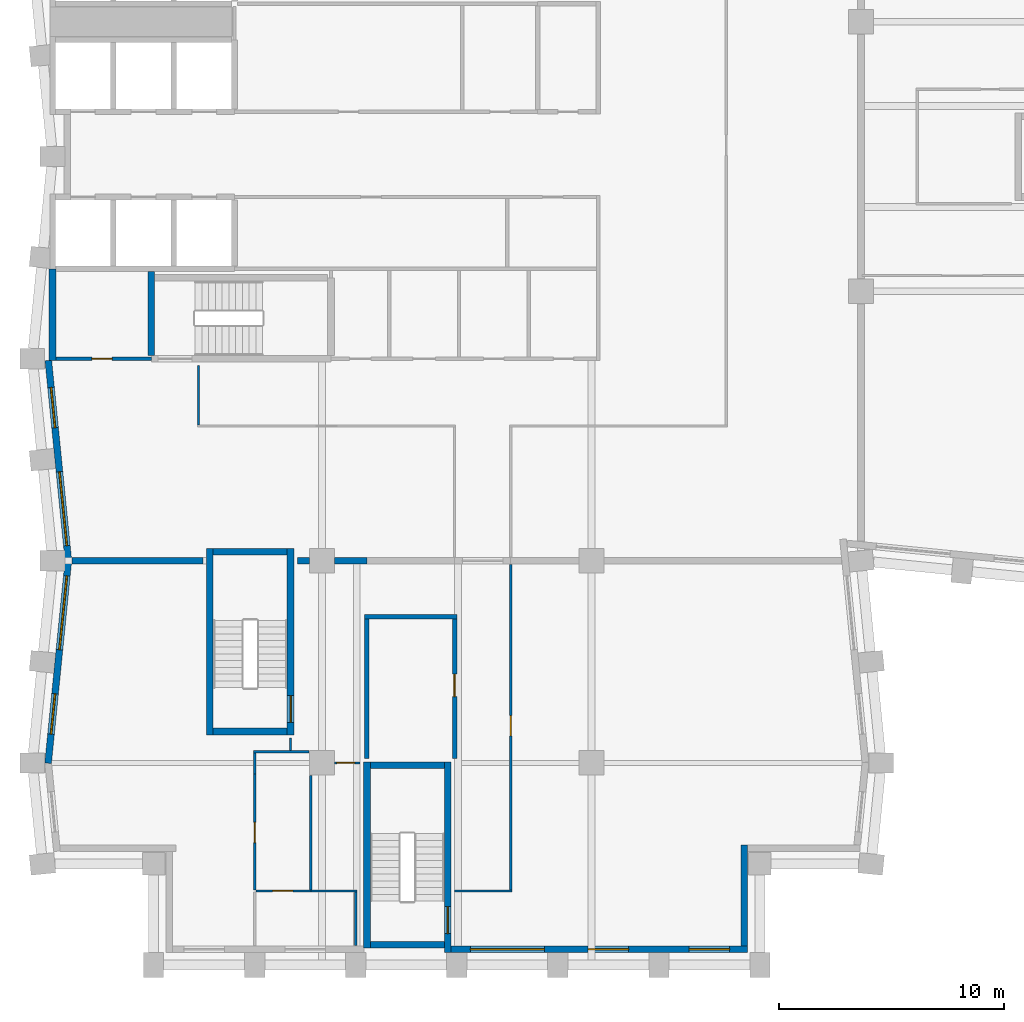
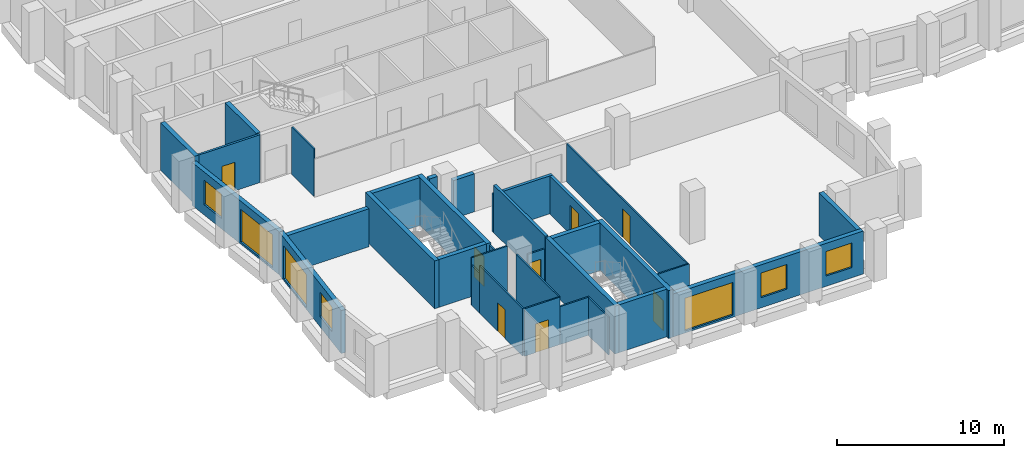
# One storey, part 3 of 10: 33 walls, 8 doors, 7 windows, 15 openings.
"""IFC4 building model written with IfcOpenShell, lengths in metres."""

import ifcopenshell
import ifcopenshell.guid

model = None  # the IFC model being written
_history = None  # IfcOwnerHistory: only IFC2X3 demands one
_inside = {}  # id of a spatial element -> (the spatial element, [elements in it])
_under = {}  # id of a project, library or spatial element -> (it, [spatial elements below it])
_declared = {}  # id of a project -> (the project, [libraries it declares])
_typed = {}  # id of a type object -> (the type object, [elements of that type])
_made_of = {}  # id of a material, layer set ... -> (it, [elements and type objects made of it])


def new_model(schema):
    """Start an empty IFC model of exactly this schema.

    Asked for "IFC4X3", IfcOpenShell would pick the latest addendum, in which some entities
    have other attributes; the version numbers below select the first issue.
    IFC2X3 requires an IfcOwnerHistory on every rooted entity: one is made here for all.
    """
    global model, _history
    if schema == "IFC4X3":
        model = ifcopenshell.file(schema_version=(4, 3, 0, 0))
    else:
        model = ifcopenshell.file(schema=schema)
    _inside.clear()
    _under.clear()
    _declared.clear()
    _typed.clear()
    _made_of.clear()
    _history = None
    if model.schema == "IFC2X3":
        org = make("IfcOrganization", Name="unknown")
        user = make(
            "IfcPersonAndOrganization",
            ThePerson=make("IfcPerson", FamilyName="unknown"),
            TheOrganization=org,
        )
        app = make(
            "IfcApplication",
            ApplicationDeveloper=org,
            Version="unknown",
            ApplicationFullName="unknown",
            ApplicationIdentifier="unknown",
        )
        _history = make(
            "IfcOwnerHistory",
            OwningUser=user,
            OwningApplication=app,
            ChangeAction="ADDED",
            CreationDate=0,
        )
    return model


def make(cls, **values):
    """One entity of the class cls with the attributes given. An attribute that is None is left unset."""
    return model.create_entity(
        cls, **{name: value for name, value in values.items() if value is not None}
    )


def rooted(cls, **values):
    """An entity with a GlobalId (a new one), such as an element, a storey or a relation."""
    return make(cls, GlobalId=ifcopenshell.guid.new(), OwnerHistory=_history, **values)


def si_unit(unit_type, name, prefix=None):
    """IfcSIUnit, for example si_unit("LENGTHUNIT", "METRE", prefix="MILLI")."""
    return make("IfcSIUnit", UnitType=unit_type, Prefix=prefix, Name=name)


def assignment(units):
    """IfcUnitAssignment: the units of a project."""
    return None if units is None else make("IfcUnitAssignment", Units=units)


def point(xyz):
    """IfcCartesianPoint."""
    return None if xyz is None else make("IfcCartesianPoint", Coordinates=xyz)


def direction(xyz):
    """IfcDirection."""
    return None if xyz is None else make("IfcDirection", DirectionRatios=xyz)


def frame(location, z_axis=None, x_axis=None):
    """IfcAxis2Placement3D, a coordinate frame: its origin and axes. An axis left out is left unset."""
    return make(
        "IfcAxis2Placement3D",
        Location=point(location),
        Axis=direction(z_axis),
        RefDirection=direction(x_axis),
    )


def frame_2d(location, x_axis=None):
    """IfcAxis2Placement2D, a coordinate frame in the plane: its origin and x axis."""
    return make(
        "IfcAxis2Placement2D", Location=point(location), RefDirection=direction(x_axis)
    )


def origin():
    """The frame at (0, 0, 0) with its axes left unset."""
    return frame((0.0, 0.0, 0.0))


def place(relative_to, where):
    """IfcLocalPlacement: puts the frame where relative to a parent placement (None: the world)."""
    return make(
        "IfcLocalPlacement", PlacementRelTo=relative_to, RelativePlacement=where
    )


def context(
    kind, dimensions, precision=None, world=None, true_north=None, identifier=None
):
    """IfcGeometricRepresentationContext, for example the 3D "Model" context."""
    return make(
        "IfcGeometricRepresentationContext",
        ContextIdentifier=identifier,
        ContextType=kind,
        CoordinateSpaceDimension=dimensions,
        Precision=precision,
        WorldCoordinateSystem=world,
        TrueNorth=true_north,
    )


def subcontext(parent, identifier, kind, view, scale=None):
    """IfcGeometricRepresentationSubContext, for example "Body" below "Model"."""
    return make(
        "IfcGeometricRepresentationSubContext",
        ContextIdentifier=identifier,
        ContextType=kind,
        ParentContext=parent,
        TargetScale=scale,
        TargetView=view,
    )


def project(units=None, contexts=None):
    """IfcProject with its units and contexts."""
    return rooted(
        "IfcProject",
        Name="project",
        RepresentationContexts=contexts,
        UnitsInContext=assignment(units),
    )


def spatial(cls, under=None, at=None, **own):
    """A site, building, storey or space (cls), placed at a placement, below another one or the project."""
    s = rooted(cls, ObjectPlacement=at, **own)
    if under is not None:
        _under.setdefault(under.id(), (under, []))[1].append(s)
    return s


def profile(cls, at=None, kind="AREA", **sizes):
    """A parametric profile (cls). Its sizes go by their IFC names, for example OverallWidth=200.0."""
    return make(cls, ProfileType=kind, Position=at, **sizes)


def rectangle(**sizes):
    """IfcRectangleProfileDef."""
    return profile("IfcRectangleProfileDef", **sizes)


def extrude(swept, where, along, depth):
    """IfcExtrudedAreaSolid: the profile swept, set in the frame where, extruded along a direction by depth."""
    return make(
        "IfcExtrudedAreaSolid",
        SweptArea=swept,
        Position=where,
        ExtrudedDirection=direction(along),
        Depth=depth,
    )


def shape(context_of_items, identifier, shape_type, items):
    """IfcShapeRepresentation: the items that make up one representation, for example the "Body"."""
    return make(
        "IfcShapeRepresentation",
        ContextOfItems=context_of_items,
        RepresentationIdentifier=identifier,
        RepresentationType=shape_type,
        Items=items,
    )


def material(Name=None, Category=None):
    """IfcMaterial."""
    return make("IfcMaterial", Name=Name, Category=Category)


def layer(
    of_material, thickness, ventilated=None, Name=None, Category=None, Priority=None
):
    """IfcMaterialLayer: one layer of a wall or slab, of a material (None: an air gap)."""
    return make(
        "IfcMaterialLayer",
        Material=of_material,
        LayerThickness=thickness,
        IsVentilated=ventilated,
        Name=Name,
        Category=Category,
        Priority=Priority,
    )


def layer_set(layers, Name=None):
    """IfcMaterialLayerSet."""
    return make("IfcMaterialLayerSet", MaterialLayers=layers, LayerSetName=Name)


def made_of(thing, what):
    """Note that an element or type object is made of a material, layer set ...; save() writes the relation."""
    if what is not None:
        _made_of.setdefault(what.id(), (what, []))[1].append(thing)
    return thing


def type_object(cls, material=None, **own):
    """A type object (cls), such as IfcWallType, which elements share."""
    return made_of(rooted(cls, **own), material)


def element(
    cls,
    number,
    at=None,
    inside=None,
    cuts=None,
    type_object=None,
    material=None,
    context=None,
    identifier="Body",
    shape_type=None,
    held_by="IfcProductDefinitionShape",
    body=None,
    shapes=None,
    **own,
):
    """One element of the class cls, such as IfcWall. Its Tag is "e" and its number.

    at: its placement. inside: the storey or other place that contains it. cuts: it is an
    opening in that element (IfcRelVoidsElement). A single representation is given by context,
    identifier, shape_type and body (its items); several are given by shapes. held_by: the class
    of the entity that holds the representations. save() writes the other relations.
    """
    e = rooted(cls, Tag="e%d" % number, ObjectPlacement=at, **own)
    if body is not None:
        shapes = [shape(context, identifier, shape_type, body)]
    if shapes is not None:
        e.Representation = make(held_by, Representations=shapes)
    if inside is not None:
        _inside.setdefault(inside.id(), (inside, []))[1].append(e)
    if cuts is not None:
        rooted(
            "IfcRelVoidsElement", RelatingBuildingElement=cuts, RelatedOpeningElement=e
        )
    if type_object is not None:
        _typed.setdefault(type_object.id(), (type_object, []))[1].append(e)
    return made_of(e, material)


def fill(opening, filler):
    """IfcRelFillsElement: the door or window that sits in an opening."""
    return rooted(
        "IfcRelFillsElement",
        RelatingOpeningElement=opening,
        RelatedBuildingElement=filler,
    )


def aggregate(whole, parts):
    """IfcRelAggregates: a whole, such as a stair, and the parts it consists of."""
    return rooted("IfcRelAggregates", RelatingObject=whole, RelatedObjects=parts)


def save(model, path):
    """Write the relations noted so far, then the file.

    IfcRelAggregates (storeys below a building ...), IfcRelContainedInSpatialStructure (elements
    in a storey), IfcRelDefinesByType, IfcRelAssociatesMaterial and IfcRelDeclares: one each for
    every whole, place, type object, material and project.
    """
    for whole, parts in _under.values():
        aggregate(whole, parts)
    for where, things in _inside.values():
        rooted(
            "IfcRelContainedInSpatialStructure",
            RelatedElements=things,
            RelatingStructure=where,
        )
    for kind, things in _typed.values():
        rooted("IfcRelDefinesByType", RelatedObjects=things, RelatingType=kind)
    for what, things in _made_of.values():
        rooted("IfcRelAssociatesMaterial", RelatedObjects=things, RelatingMaterial=what)
    for by, libraries in _declared.values():
        rooted("IfcRelDeclares", RelatingContext=by, RelatedDefinitions=libraries)
    model.write(path)


model = new_model("IFC4")

# Units and contexts
model_context = context("Model", 3, precision=1e-05, world=origin(), true_north=direction((0.0, 1.0)))
body_context = subcontext(model_context, "Body", "Model", "MODEL_VIEW")
ifc_project = project(units=[si_unit("LENGTHUNIT", "METRE"), si_unit("AREAUNIT", "SQUARE_METRE"), si_unit("VOLUMEUNIT", "CUBIC_METRE"), si_unit("PLANEANGLEUNIT", "RADIAN"), si_unit("MASSUNIT", "GRAM", prefix="KILO")], contexts=[model_context])

# Site, building, storey
site_placement = place(None, origin())
site = spatial("IfcSite", under=ifc_project, at=site_placement, CompositionType="ELEMENT")
building_placement = place(site_placement, origin())
building = spatial("IfcBuilding", under=site, at=building_placement, Name="Brondeck Convention Tower", CompositionType="ELEMENT")
storey_placement = place(building_placement, frame((0.0, 0.0, 177.60009765625)))
storey = spatial("IfcBuildingStorey", under=building, at=storey_placement, Name="L43", CompositionType="ELEMENT", Elevation=177.60009765625)

# Walls
ifc_material_1 = material(Name="Concrete compartment wall C30/37", Category="concrete")
ifc_layer_1 = layer(ifc_material_1, 0.300048828125)
ifc_layer_set_1 = layer_set([ifc_layer_1], Name="Compartment wall 300")
wall_type_1 = type_object("IfcWallType", Name="Compartment wall 300", PredefinedType="PARTITIONING", material=ifc_layer_set_1)
wall_1_placement = place(storey_placement, frame((0.8740234375, 27.0, 0.0), z_axis=(0.0, 0.0, 1.0), x_axis=(1.0, 0.0, 0.0)))
element("IfcWall", 1, at=wall_1_placement, inside=storey, type_object=wall_type_1, Name="FLR-L43-W017", PredefinedType="PARTITIONING", context=body_context, shape_type="SweptSolid", body=[
    extrude(rectangle(XDim=5.825927734375, YDim=0.300048828125, at=frame_2d((2.9130859375, 0.0))), origin(), (0.0, 0.0, 1.0), 2.77978515625),
])
wall_2_placement = place(storey_placement, frame((10.89990234375, 27.0, 0.0), z_axis=(0.0, 0.0, 1.0), x_axis=(1.0, 0.0, 0.0)))
element("IfcWall", 2, at=wall_2_placement, inside=storey, type_object=wall_type_1, Name="FLR-L43-W018", PredefinedType="PARTITIONING", context=body_context, shape_type="SweptSolid", body=[
    extrude(rectangle(XDim=0.545166015625, YDim=0.300048828125, at=frame_2d((0.2724609375, 0.0))), origin(), (0.0, 0.0, 1.0), 3.47998046875),
])
wall_3_placement = place(storey_placement, frame((12.554931640625, 27.0, 0.0), z_axis=(0.0, 0.0, 1.0), x_axis=(1.0, 0.0, 0.0)))
element("IfcWall", 3, at=wall_3_placement, inside=storey, type_object=wall_type_1, Name="FLR-L43-W019", PredefinedType="PARTITIONING", context=body_context, shape_type="SweptSolid", body=[
    extrude(rectangle(XDim=1.445068359375, YDim=0.300048828125, at=frame_2d((0.72265625, 0.0))), origin(), (0.0, 0.0, 1.0), 2.77978515625),
])
ifc_material_2 = material(Name="Concrete C70/85", Category="concrete")
ifc_layer_2 = layer(ifc_material_2, 0.300048828125)
ifc_layer_set_2 = layer_set([ifc_layer_2], Name="Core outer wall 300 Concrete C70/85")
wall_type_2 = type_object("IfcWallType", Name="Core outer wall 300 Concrete C70/85", PredefinedType="SHEAR", material=ifc_layer_set_2)
wall_4_placement = place(storey_placement, frame((0.0, 35.925048828125, 0.0), z_axis=(0.0, 0.0, 1.0), x_axis=(0.0, 1.0, 0.0)))
element("IfcWall", 4, at=wall_4_placement, inside=storey, type_object=wall_type_2, Name="L43 core wall", PredefinedType="SHEAR", context=body_context, shape_type="SweptSolid", body=[
    extrude(rectangle(XDim=4.074951171875, YDim=0.300048828125, at=frame_2d((2.03759765625, 0.0))), origin(), (0.0, 0.0, 1.0), 3.5),
])

# Wall, opening, door
ifc_material_3 = material(Name="Fire-rated gypsum board partition")
ifc_layer_3 = layer(ifc_material_3, 0.14990234375)
ifc_layer_set_3 = layer_set([ifc_layer_3], Name="Core partition 150 EI 60")
wall_type_3 = type_object("IfcWallType", Name="Core partition 150 EI 60", PredefinedType="PARTITIONING", material=ifc_layer_set_3)
wall_5_placement = place(storey_placement, frame((0.14990234375, 36.0, 0.0), z_axis=(0.0, 0.0, 1.0), x_axis=(1.0, 0.0, 0.0)))
wall_5 = element("IfcWall", 5, at=wall_5_placement, inside=storey, type_object=wall_type_3, Name="L43 core wall", PredefinedType="PARTITIONING", context=body_context, shape_type="SweptSolid", body=[
    extrude(rectangle(XDim=4.25, YDim=0.14990234375, at=frame_2d((2.125, 0.0))), origin(), (0.0, 0.0, 1.0), 3.5),
])
opening_1_placement = place(wall_5_placement, frame((1.60009765625, 0.0, 0.0)))
opening_1 = element("IfcOpeningElement", 6, at=opening_1_placement, cuts=wall_5, Name="Opening C24-07", PredefinedType="OPENING", context=body_context, shape_type="SweptSolid", body=[
    extrude(rectangle(XDim=0.89990234375, YDim=2.10009765625, at=frame_2d((0.449951171875, 1.050048828125))), frame((0.0, 0.0849609375, 0.0), z_axis=(0.0, -1.0, 0.0), x_axis=(1.0, 0.0, 0.0)), (0.0, 0.0, 1.0), 0.169921875),
])
ifc_material_4 = material(Name="Steel fire door", Category="steel")
door_type_1 = type_object("IfcDoorType", Name="Room door 900x2100 EI 60", OperationType="NOTDEFINED", PredefinedType="DOOR", material=ifc_material_4)
door_1_placement = place(opening_1_placement, origin())
door_1 = element("IfcDoor", 7, at=door_1_placement, inside=storey, type_object=door_type_1, Name="L43 Room door FRW-1", OperationType="SINGLE_SWING_LEFT", OverallHeight=2.10009765625, OverallWidth=0.89990234375, PredefinedType="DOOR", context=body_context, shape_type="SweptSolid", body=[
    extrude(rectangle(XDim=0.89990234375, YDim=2.10009765625, at=frame_2d((0.449951171875, 1.050048828125))), frame((0.0, 0.02490234375, 0.0), z_axis=(0.0, -1.0, 0.0), x_axis=(1.0, 0.0, 0.0)), (0.0, 0.0, 1.0), 0.050048828125),
])
fill(opening_1, door_1)

# Wall, openings, windows
ifc_material_5 = material(Name="Precast concrete C50/60 bronze finish", Category="concrete")
ifc_layer_4 = layer(ifc_material_5, 0.070068359375, Name="Bronze precast facing")
ifc_material_6 = material(Name="Mineral wool")
ifc_layer_5 = layer(ifc_material_6, 0.159912109375, Name="Insulation")
ifc_material_7 = material(Name="Concrete C35/45", Category="concrete")
ifc_layer_6 = layer(ifc_material_7, 0.070068359375, Name="Backing")
ifc_layer_set_4 = layer_set([ifc_layer_4, ifc_layer_5, ifc_layer_6], Name="External infill wall, precast concrete C50/60 bronze facing")
wall_type_4 = type_object("IfcWallType", Name="External infill wall, precast concrete C50/60 bronze facing", PredefinedType="SOLIDWALL", material=ifc_layer_set_4)
wall_6_placement = place(storey_placement, frame((30.949951171875, 9.699951171875, 0.0), z_axis=(0.0, 0.0, 1.0), x_axis=(-1.0, 0.0, 0.0)))
wall_6 = element("IfcWall", 8, at=wall_6_placement, inside=storey, type_object=wall_type_4, Name="ENV-EW-L43-P1-B-S9-04", PredefinedType="SOLIDWALL", context=body_context, shape_type="SweptSolid", body=[
    extrude(rectangle(XDim=13.199951171875, YDim=0.300048828125, at=frame_2d((6.60009765625, 0.0))), origin(), (0.0, 0.0, 1.0), 3.14990234375),
])
opening_2_placement = place(wall_6_placement, frame((0.800048828125, 0.0, 0.75)))
opening_2 = element("IfcOpeningElement", 9, at=opening_2_placement, cuts=wall_6, Name="Opening W10", PredefinedType="OPENING", context=body_context, shape_type="SweptSolid", body=[
    extrude(rectangle(XDim=1.800048828125, YDim=1.800048828125, at=frame_2d((0.89990234375, 0.89990234375))), frame((0.0, 0.159912109375, 0.0), z_axis=(0.0, -1.0, 0.0), x_axis=(1.0, 0.0, 0.0)), (0.0, 0.0, 1.0), 0.320068359375),
])
opening_3_placement = place(wall_6_placement, frame((5.300048828125, 0.0, 0.75)))
opening_3 = element("IfcOpeningElement", 10, at=opening_3_placement, cuts=wall_6, Name="Opening W10", PredefinedType="OPENING", context=body_context, shape_type="SweptSolid", body=[
    extrude(rectangle(XDim=1.800048828125, YDim=1.800048828125, at=frame_2d((0.89990234375, 0.89990234375))), frame((0.0, 0.159912109375, 0.0), z_axis=(0.0, -1.0, 0.0), x_axis=(1.0, 0.0, 0.0)), (0.0, 0.0, 1.0), 0.320068359375),
])
opening_4_placement = place(wall_6_placement, frame((9.050048828125, 0.0, 0.14990234375)))
opening_4 = element("IfcOpeningElement", 11, at=opening_4_placement, cuts=wall_6, Name="Opening W9", PredefinedType="OPENING", context=body_context, shape_type="SweptSolid", body=[
    extrude(rectangle(XDim=3.300048828125, YDim=2.39990234375, at=frame_2d((1.64990234375, 1.199951171875))), frame((0.0, 0.159912109375, 0.0), z_axis=(0.0, -1.0, 0.0), x_axis=(1.0, 0.0, 0.0)), (0.0, 0.0, 1.0), 0.320068359375),
])
ifc_material_8 = material(Name="Bronze tinted double glazing", Category="glass")
window_type_1 = type_object("IfcWindowType", Name="Glazed flute window, bronze tinted", PartitioningType="SINGLE_PANEL", PredefinedType="WINDOW", material=ifc_material_8)
window_1_placement = place(opening_4_placement, origin())
window_1 = element("IfcWindow", 12, at=window_1_placement, inside=storey, type_object=window_type_1, Name="ENV-WN-L43-P1-B-S9-04", OverallHeight=2.39990234375, OverallWidth=3.300048828125, PartitioningType="SINGLE_PANEL", PredefinedType="WINDOW", context=body_context, shape_type="SweptSolid", body=[
    extrude(rectangle(XDim=3.300048828125, YDim=2.39990234375, at=frame_2d((1.64990234375, 1.199951171875))), frame((0.0, 0.030029296875, 0.0), z_axis=(0.0, -1.0, 0.0), x_axis=(1.0, 0.0, 0.0)), (0.0, 0.0, 1.0), 0.06005859375),
])
fill(opening_4, window_1)
window_type_2 = type_object("IfcWindowType", Name="Punched window, bronze tinted", PartitioningType="SINGLE_PANEL", PredefinedType="WINDOW", material=ifc_material_8)
window_2_placement = place(opening_2_placement, origin())
window_2 = element("IfcWindow", 13, at=window_2_placement, inside=storey, type_object=window_type_2, Name="ENV-WN-L43-P1-B-S9-06", OverallHeight=1.800048828125, OverallWidth=1.800048828125, PartitioningType="SINGLE_PANEL", PredefinedType="WINDOW", context=body_context, shape_type="SweptSolid", body=[
    extrude(rectangle(XDim=1.800048828125, YDim=1.800048828125, at=frame_2d((0.89990234375, 0.89990234375))), frame((0.0, 0.030029296875, 0.0), z_axis=(0.0, -1.0, 0.0), x_axis=(1.0, 0.0, 0.0)), (0.0, 0.0, 1.0), 0.06005859375),
])
fill(opening_2, window_2)
window_3_placement = place(opening_3_placement, origin())
window_3 = element("IfcWindow", 14, at=window_3_placement, inside=storey, type_object=window_type_2, Name="ENV-WN-L43-P1-B-S9-05", OverallHeight=1.800048828125, OverallWidth=1.800048828125, PartitioningType="SINGLE_PANEL", PredefinedType="WINDOW", context=body_context, shape_type="SweptSolid", body=[
    extrude(rectangle(XDim=1.800048828125, YDim=1.800048828125, at=frame_2d((0.89990234375, 0.89990234375))), frame((0.0, 0.030029296875, 0.0), z_axis=(0.0, -1.0, 0.0), x_axis=(1.0, 0.0, 0.0)), (0.0, 0.0, 1.0), 0.06005859375),
])
fill(opening_3, window_3)

# Wall
wall_7_placement = place(storey_placement, frame((30.800048828125, 14.35009765625, 0.0), z_axis=(0.0, 0.0, 1.0), x_axis=(0.0, -1.0, 0.0)))
element("IfcWall", 15, at=wall_7_placement, inside=storey, type_object=wall_type_4, Name="ENV-EW-L43-P1-NC-SEB9-01", PredefinedType="SOLIDWALL", context=body_context, shape_type="SweptSolid", body=[
    extrude(rectangle(XDim=4.502197265625, YDim=0.300048828125, at=frame_2d((2.2509765625, 0.0))), origin(), (0.0, 0.0, 1.0), 3.14990234375),
])

# Wall, openings, windows
wall_8_placement = place(storey_placement, frame((0.705078125, 26.985107421875, 0.0), z_axis=(0.0, 0.0, 1.0), x_axis=(-0.099533329093, 0.995034228758, 0.0)))
wall_8 = element("IfcWall", 16, at=wall_8_placement, inside=storey, type_object=wall_type_4, Name="ENV-EW-L43-P1-B-W-06", PredefinedType="SOLIDWALL", context=body_context, shape_type="SweptSolid", body=[
    extrude(rectangle(XDim=8.97998046875, YDim=0.300048828125, at=frame_2d((4.489990234375, 0.0))), origin(), (0.0, 0.0, 1.0), 3.14990234375),
])
opening_5_placement = place(wall_8_placement, frame((0.6962890625, 0.0, 0.14990234375)))
opening_5 = element("IfcOpeningElement", 17, at=opening_5_placement, cuts=wall_8, Name="Opening W9", PredefinedType="OPENING", context=body_context, shape_type="SweptSolid", body=[
    extrude(rectangle(XDim=3.300048828125, YDim=2.39990234375, at=frame_2d((1.64990234375, 1.199951171875))), frame((0.0, 0.159912109375, 0.0), z_axis=(0.0, -1.0, 0.0), x_axis=(1.0, 0.0, 0.0)), (0.0, 0.0, 1.0), 0.320068359375),
])
opening_6_placement = place(wall_8_placement, frame((5.968505859375, 0.0, 0.75)))
opening_6 = element("IfcOpeningElement", 18, at=opening_6_placement, cuts=wall_8, Name="Opening W10", PredefinedType="OPENING", context=body_context, shape_type="SweptSolid", body=[
    extrude(rectangle(XDim=1.800048828125, YDim=1.800048828125, at=frame_2d((0.89990234375, 0.89990234375))), frame((0.0, 0.159912109375, 0.0), z_axis=(0.0, -1.0, 0.0), x_axis=(1.0, 0.0, 0.0)), (0.0, 0.0, 1.0), 0.320068359375),
])
window_4_placement = place(opening_5_placement, origin())
window_4 = element("IfcWindow", 19, at=window_4_placement, inside=storey, type_object=window_type_1, Name="ENV-WN-L43-P1-B-W-07", OverallHeight=2.39990234375, OverallWidth=3.300048828125, PartitioningType="SINGLE_PANEL", PredefinedType="WINDOW", context=body_context, shape_type="SweptSolid", body=[
    extrude(rectangle(XDim=3.300048828125, YDim=2.39990234375, at=frame_2d((1.64990234375, 1.199951171875))), frame((0.0, 0.030029296875, 0.0), z_axis=(0.0, -1.0, 0.0), x_axis=(1.0, 0.0, 0.0)), (0.0, 0.0, 1.0), 0.06005859375),
])
fill(opening_5, window_4)
window_5_placement = place(opening_6_placement, origin())
window_5 = element("IfcWindow", 20, at=window_5_placement, inside=storey, type_object=window_type_2, Name="ENV-WN-L43-P1-B-W-06", OverallHeight=1.800048828125, OverallWidth=1.800048828125, PartitioningType="SINGLE_PANEL", PredefinedType="WINDOW", context=body_context, shape_type="SweptSolid", body=[
    extrude(rectangle(XDim=1.800048828125, YDim=1.800048828125, at=frame_2d((0.89990234375, 0.89990234375))), frame((0.0, 0.030029296875, 0.0), z_axis=(0.0, -1.0, 0.0), x_axis=(1.0, 0.0, 0.0)), (0.0, 0.0, 1.0), 0.06005859375),
])
fill(opening_6, window_5)

wall_9_placement = place(storey_placement, frame((-0.197998046875, 17.985107421875, 0.0), z_axis=(0.0, 0.0, 1.0), x_axis=(0.099495688264, 0.995037993253, 0.0)))
wall_9 = element("IfcWall", 21, at=wall_9_placement, inside=storey, type_object=wall_type_4, Name="ENV-EW-L43-P1-B-W-08", PredefinedType="SOLIDWALL", context=body_context, shape_type="SweptSolid", body=[
    extrude(rectangle(XDim=9.030029296875, YDim=0.300048828125, at=frame_2d((4.51513671875, 0.0))), origin(), (0.0, 0.0, 1.0), 3.14990234375),
])
opening_7_placement = place(wall_9_placement, frame((1.30615234375, 0.0, 0.75)))
opening_7 = element("IfcOpeningElement", 22, at=opening_7_placement, cuts=wall_9, Name="Opening W10", PredefinedType="OPENING", context=body_context, shape_type="SweptSolid", body=[
    extrude(rectangle(XDim=1.800048828125, YDim=1.800048828125, at=frame_2d((0.89990234375, 0.89990234375))), frame((0.0, 0.159912109375, 0.0), z_axis=(0.0, -1.0, 0.0), x_axis=(1.0, 0.0, 0.0)), (0.0, 0.0, 1.0), 0.320068359375),
])
opening_8_placement = place(wall_9_placement, frame((5.07861328125, 0.0, 0.14990234375)))
opening_8 = element("IfcOpeningElement", 23, at=opening_8_placement, cuts=wall_9, Name="Opening W9", PredefinedType="OPENING", context=body_context, shape_type="SweptSolid", body=[
    extrude(rectangle(XDim=3.300048828125, YDim=2.39990234375, at=frame_2d((1.64990234375, 1.199951171875))), frame((0.0, 0.159912109375, 0.0), z_axis=(0.0, -1.0, 0.0), x_axis=(1.0, 0.0, 0.0)), (0.0, 0.0, 1.0), 0.320068359375),
])
window_6_placement = place(opening_8_placement, origin())
window_6 = element("IfcWindow", 24, at=window_6_placement, inside=storey, type_object=window_type_1, Name="ENV-WN-L43-P1-B-W-08", OverallHeight=2.39990234375, OverallWidth=3.300048828125, PartitioningType="SINGLE_PANEL", PredefinedType="WINDOW", context=body_context, shape_type="SweptSolid", body=[
    extrude(rectangle(XDim=3.300048828125, YDim=2.39990234375, at=frame_2d((1.64990234375, 1.199951171875))), frame((0.0, 0.030029296875, 0.0), z_axis=(0.0, -1.0, 0.0), x_axis=(1.0, 0.0, 0.0)), (0.0, 0.0, 1.0), 0.06005859375),
])
fill(opening_8, window_6)
window_7_placement = place(opening_7_placement, origin())
window_7 = element("IfcWindow", 25, at=window_7_placement, inside=storey, type_object=window_type_2, Name="ENV-WN-L43-P1-B-W-09", OverallHeight=1.800048828125, OverallWidth=1.800048828125, PartitioningType="SINGLE_PANEL", PredefinedType="WINDOW", context=body_context, shape_type="SweptSolid", body=[
    extrude(rectangle(XDim=1.800048828125, YDim=1.800048828125, at=frame_2d((0.89990234375, 0.89990234375))), frame((0.0, 0.030029296875, 0.0), z_axis=(0.0, -1.0, 0.0), x_axis=(1.0, 0.0, 0.0)), (0.0, 0.0, 1.0), 0.06005859375),
])
fill(opening_7, window_7)

# Wall, opening, door
ifc_material_9 = material(Name="Concrete block wall C16/20", Category="concrete")
ifc_layer_7 = layer(ifc_material_9, 0.199951171875)
ifc_layer_set_5 = layer_set([ifc_layer_7], Name="Plant room wall 200")
wall_type_5 = type_object("IfcWallType", Name="Plant room wall 200", PredefinedType="PARTITIONING", material=ifc_layer_set_5)
wall_10_placement = place(storey_placement, frame((17.89990234375, 18.199951171875, 0.0), z_axis=(0.0, 0.0, 1.0), x_axis=(0.0, 1.0, 0.0)))
wall_10 = element("IfcWall", 26, at=wall_10_placement, inside=storey, type_object=wall_type_5, Name="FLR-L43-W011", PredefinedType="PARTITIONING", context=body_context, shape_type="SweptSolid", body=[
    extrude(rectangle(XDim=6.199951171875, YDim=0.199951171875, at=frame_2d((3.10009765625, 0.0))), origin(), (0.0, 0.0, 1.0), 2.77978515625),
])
opening_9_placement = place(wall_10_placement, frame((2.75, 0.0, 0.0)))
opening_9 = element("IfcOpeningElement", 27, at=opening_9_placement, cuts=wall_10, Name="Opening OF-I-003", PredefinedType="OPENING", context=body_context, shape_type="SweptSolid", body=[
    extrude(rectangle(XDim=1.0, YDim=2.10009765625, at=frame_2d((0.5, 1.050048828125))), frame((0.0, 0.10986328125, 0.0), z_axis=(0.0, -1.0, 0.0), x_axis=(1.0, 0.0, 0.0)), (0.0, 0.0, 1.0), 0.219970703125),
])
ifc_material_10 = material(Name="Steel fire door leaf", Category="steel")
door_type_2 = type_object("IfcDoorType", Name="Plant room door 1000", OperationType="NOTDEFINED", PredefinedType="DOOR", material=ifc_material_10)
door_2_placement = place(opening_9_placement, origin())
door_2 = element("IfcDoor", 28, at=door_2_placement, inside=storey, type_object=door_type_2, Name="Door OF-I-003", OperationType="SINGLE_SWING_LEFT", OverallHeight=2.10009765625, OverallWidth=1.0, PredefinedType="DOOR", context=body_context, shape_type="SweptSolid", body=[
    extrude(rectangle(XDim=1.0, YDim=2.10009765625, at=frame_2d((0.5, 1.050048828125))), frame((0.0, 0.02490234375, 0.0), z_axis=(0.0, -1.0, 0.0), x_axis=(1.0, 0.0, 0.0)), (0.0, 0.0, 1.0), 0.050048828125),
])
fill(opening_9, door_2)

# Walls
wall_11_placement = place(storey_placement, frame((14.0, 24.39990234375, 0.0), z_axis=(0.0, 0.0, 1.0), x_axis=(0.0, -1.0, 0.0)))
element("IfcWall", 29, at=wall_11_placement, inside=storey, type_object=wall_type_5, Name="FLR-L43-W014", PredefinedType="PARTITIONING", context=body_context, shape_type="SweptSolid", body=[
    extrude(rectangle(XDim=6.199951171875, YDim=0.199951171875, at=frame_2d((3.10009765625, 0.0))), origin(), (0.0, 0.0, 1.0), 3.47998046875),
])
wall_12_placement = place(storey_placement, frame((18.0, 24.5, 0.0), z_axis=(0.0, 0.0, 1.0), x_axis=(-1.0, 0.0, 0.0)))
element("IfcWall", 30, at=wall_12_placement, inside=storey, type_object=wall_type_5, Name="FLR-L43-W015", PredefinedType="PARTITIONING", context=body_context, shape_type="SweptSolid", body=[
    extrude(rectangle(XDim=4.10009765625, YDim=0.199951171875, at=frame_2d((2.050048828125, 0.0))), origin(), (0.0, 0.0, 1.0), 2.77978515625),
])
ifc_material_11 = material(Name="Gypsum board partition on steel studs", Category="steel")
ifc_layer_8 = layer(ifc_material_11, 0.10009765625)
ifc_layer_set_6 = layer_set([ifc_layer_8], Name="Room partition 100")
wall_type_6 = type_object("IfcWallType", Name="Room partition 100", PredefinedType="PARTITIONING", material=ifc_layer_set_6)
wall_13_placement = place(storey_placement, frame((13.5, 12.25, 0.0), z_axis=(0.0, 0.0, 1.0), x_axis=(0.0, -1.0, 0.0)))
element("IfcWall", 31, at=wall_13_placement, inside=storey, type_object=wall_type_6, Name="FLR-L43-W003", PredefinedType="PARTITIONING", context=body_context, shape_type="SweptSolid", body=[
    extrude(rectangle(XDim=2.3798828125, YDim=0.10009765625, at=frame_2d((1.18994140625, 0.0))), origin(), (0.0, 0.0, 1.0), 2.77978515625),
])

# Wall, opening, door
wall_14_placement = place(storey_placement, frame((11.5, 12.300048828125, 0.0), z_axis=(0.0, 0.0, 1.0), x_axis=(-1.0, 0.0, 0.0)))
wall_14 = element("IfcWall", 32, at=wall_14_placement, inside=storey, type_object=wall_type_6, Name="FLR-L43-W004", PredefinedType="PARTITIONING", context=body_context, shape_type="SweptSolid", body=[
    extrude(rectangle(XDim=2.449951171875, YDim=0.10009765625, at=frame_2d((1.22509765625, 0.0))), origin(), (0.0, 0.0, 1.0), 3.47998046875),
])
opening_10_placement = place(wall_14_placement, frame((0.800048828125, 0.0, 0.0)))
opening_10 = element("IfcOpeningElement", 33, at=opening_10_placement, cuts=wall_14, Name="Opening OF-I-001", PredefinedType="OPENING", context=body_context, shape_type="SweptSolid", body=[
    extrude(rectangle(XDim=0.89990234375, YDim=2.10009765625, at=frame_2d((0.449951171875, 1.050048828125))), frame((0.0, 0.06005859375, 0.0), z_axis=(0.0, -1.0, 0.0), x_axis=(1.0, 0.0, 0.0)), (0.0, 0.0, 1.0), 0.1201171875),
])
ifc_material_12 = material(Name="Solid timber door leaf", Category="wood")
door_type_3 = type_object("IfcDoorType", Name="Single door 900", OperationType="NOTDEFINED", PredefinedType="DOOR", material=ifc_material_12)
door_3_placement = place(opening_10_placement, origin())
door_3 = element("IfcDoor", 34, at=door_3_placement, inside=storey, type_object=door_type_3, Name="Door OF-I-001", OperationType="SINGLE_SWING_RIGHT", OverallHeight=2.10009765625, OverallWidth=0.89990234375, PredefinedType="DOOR", context=body_context, shape_type="SweptSolid", body=[
    extrude(rectangle(XDim=0.89990234375, YDim=2.10009765625, at=frame_2d((0.449951171875, 1.050048828125))), frame((0.0, 0.02490234375, 0.0), z_axis=(0.0, -1.0, 0.0), x_axis=(1.0, 0.0, 0.0)), (0.0, 0.0, 1.0), 0.050048828125),
])
fill(opening_10, door_3)

# Walls
wall_15_placement = place(storey_placement, frame((11.5, 12.300048828125, 0.0), z_axis=(0.0, 0.0, 1.0), x_axis=(1.0, 0.0, 0.0)))
element("IfcWall", 35, at=wall_15_placement, inside=storey, type_object=wall_type_6, Name="FLR-L43-W005", PredefinedType="PARTITIONING", context=body_context, shape_type="SweptSolid", body=[
    extrude(rectangle(XDim=2.050048828125, YDim=0.10009765625, at=frame_2d((1.02490234375, 0.0))), origin(), (0.0, 0.0, 1.0), 2.77978515625),
])
wall_16_placement = place(storey_placement, frame((20.449951171875, 12.300048828125, 0.0), z_axis=(0.0, 0.0, 1.0), x_axis=(-1.0, 0.0, 0.0)))
element("IfcWall", 36, at=wall_16_placement, inside=storey, type_object=wall_type_6, Name="FLR-L43-W006", PredefinedType="PARTITIONING", context=body_context, shape_type="SweptSolid", body=[
    extrude(rectangle(XDim=2.550048828125, YDim=0.10009765625, at=frame_2d((1.27490234375, 0.0))), origin(), (0.0, 0.0, 1.0), 2.77978515625),
])

# Wall, opening, door
wall_17_placement = place(storey_placement, frame((9.0, 12.35009765625, 0.0), z_axis=(0.0, 0.0, 1.0), x_axis=(0.0, 1.0, 0.0)))
wall_17 = element("IfcWall", 37, at=wall_17_placement, inside=storey, type_object=wall_type_6, Name="FLR-L43-W007", PredefinedType="PARTITIONING", context=body_context, shape_type="SweptSolid", body=[
    extrude(rectangle(XDim=5.14990234375, YDim=0.10009765625, at=frame_2d((2.574951171875, 0.0))), origin(), (0.0, 0.0, 1.0), 3.47998046875),
])
opening_11_placement = place(wall_17_placement, frame((2.10009765625, 0.0, 0.0)))
opening_11 = element("IfcOpeningElement", 38, at=opening_11_placement, cuts=wall_17, Name="Opening OF-I-010", PredefinedType="OPENING", context=body_context, shape_type="SweptSolid", body=[
    extrude(rectangle(XDim=0.89990234375, YDim=2.10009765625, at=frame_2d((0.449951171875, 1.050048828125))), frame((0.0, 0.06005859375, 0.0), z_axis=(0.0, -1.0, 0.0), x_axis=(1.0, 0.0, 0.0)), (0.0, 0.0, 1.0), 0.1201171875),
])
door_4_placement = place(opening_11_placement, origin())
door_4 = element("IfcDoor", 39, at=door_4_placement, inside=storey, type_object=door_type_3, Name="Door OF-I-010", OperationType="SINGLE_SWING_RIGHT", OverallHeight=2.10009765625, OverallWidth=0.89990234375, PredefinedType="DOOR", context=body_context, shape_type="SweptSolid", body=[
    extrude(rectangle(XDim=0.89990234375, YDim=2.10009765625, at=frame_2d((0.449951171875, 1.050048828125))), frame((0.0, 0.02490234375, 0.0), z_axis=(0.0, -1.0, 0.0), x_axis=(1.0, 0.0, 0.0)), (0.0, 0.0, 1.0), 0.050048828125),
])
fill(opening_11, door_4)

# Walls
wall_18_placement = place(storey_placement, frame((11.5, 17.445068359375, 0.0), z_axis=(0.0, 0.0, 1.0), x_axis=(0.0, -1.0, 0.0)))
element("IfcWall", 40, at=wall_18_placement, inside=storey, type_object=wall_type_6, Name="FLR-L43-W008", PredefinedType="PARTITIONING", context=body_context, shape_type="SweptSolid", body=[
    extrude(rectangle(XDim=5.094970703125, YDim=0.10009765625, at=frame_2d((2.54736328125, 0.0))), origin(), (0.0, 0.0, 1.0), 3.47998046875),
])
wall_19_placement = place(storey_placement, frame((9.0, 17.5, 0.0), z_axis=(0.0, 0.0, 1.0), x_axis=(0.0, 1.0, 0.0)))
element("IfcWall", 41, at=wall_19_placement, inside=storey, type_object=wall_type_6, Name="FLR-L43-W009", PredefinedType="PARTITIONING", context=body_context, shape_type="SweptSolid", body=[
    extrude(rectangle(XDim=0.949951171875, YDim=0.10009765625, at=frame_2d((0.47509765625, 0.0))), origin(), (0.0, 0.0, 1.0), 2.929931640625),
])

# Wall, opening, door
wall_20_placement = place(storey_placement, frame((13.699951171875, 18.0, 0.0), z_axis=(0.0, 0.0, 1.0), x_axis=(-1.0, 0.0, 0.0)))
wall_20 = element("IfcWall", 42, at=wall_20_placement, inside=storey, type_object=wall_type_6, Name="FLR-L43-W010", PredefinedType="PARTITIONING", context=body_context, shape_type="SweptSolid", body=[
    extrude(rectangle(XDim=1.14501953125, YDim=0.10009765625, at=frame_2d((0.572509765625, 0.0))), origin(), (0.0, 0.0, 1.0), 2.77978515625),
])
opening_12_placement = place(wall_20_placement, frame((0.2451171875, 0.0, 0.0)))
opening_12 = element("IfcOpeningElement", 43, at=opening_12_placement, cuts=wall_20, Name="Opening OF-I-004", PredefinedType="OPENING", context=body_context, shape_type="SweptSolid", body=[
    extrude(rectangle(XDim=0.800048828125, YDim=2.10009765625, at=frame_2d((0.39990234375, 1.050048828125))), frame((0.0, 0.06005859375, 0.0), z_axis=(0.0, -1.0, 0.0), x_axis=(1.0, 0.0, 0.0)), (0.0, 0.0, 1.0), 0.1201171875),
])
ifc_material_13 = material(Name="Steel service door leaf", Category="steel")
door_type_4 = type_object("IfcDoorType", Name="Service door 800", OperationType="NOTDEFINED", PredefinedType="DOOR", material=ifc_material_13)
door_5_placement = place(opening_12_placement, origin())
door_5 = element("IfcDoor", 44, at=door_5_placement, inside=storey, type_object=door_type_4, Name="Door OF-I-004", OperationType="SINGLE_SWING_LEFT", OverallHeight=2.10009765625, OverallWidth=0.800048828125, PredefinedType="DOOR", context=body_context, shape_type="SweptSolid", body=[
    extrude(rectangle(XDim=0.800048828125, YDim=2.10009765625, at=frame_2d((0.39990234375, 1.050048828125))), frame((0.0, 0.02490234375, 0.0), z_axis=(0.0, -1.0, 0.0), x_axis=(1.0, 0.0, 0.0)), (0.0, 0.0, 1.0), 0.050048828125),
])
fill(opening_12, door_5)

# Walls
wall_21_placement = place(storey_placement, frame((8.949951171875, 18.5, 0.0), z_axis=(0.0, 0.0, 1.0), x_axis=(1.0, 0.0, 0.0)))
element("IfcWall", 45, at=wall_21_placement, inside=storey, type_object=wall_type_6, Name="FLR-L43-W012", PredefinedType="PARTITIONING", context=body_context, shape_type="SweptSolid", body=[
    extrude(rectangle(XDim=2.47998046875, YDim=0.10009765625, at=frame_2d((1.239990234375, 0.0))), origin(), (0.0, 0.0, 1.0), 3.47998046875),
])
wall_22_placement = place(storey_placement, frame((10.60009765625, 18.550048828125, 0.0), z_axis=(0.0, 0.0, 1.0), x_axis=(0.0, 1.0, 0.0)))
element("IfcWall", 46, at=wall_22_placement, inside=storey, type_object=wall_type_6, Name="FLR-L43-W013", PredefinedType="PARTITIONING", context=body_context, shape_type="SweptSolid", body=[
    extrude(rectangle(XDim=0.550048828125, YDim=0.10009765625, at=frame_2d((0.27490234375, 0.0))), origin(), (0.0, 0.0, 1.0), 3.47998046875),
])

# Wall, opening, door
wall_23_placement = place(storey_placement, frame((20.39990234375, 26.830078125, 0.0), z_axis=(0.0, 0.0, 1.0), x_axis=(0.0, -1.0, 0.0)))
wall_23 = element("IfcWall", 47, at=wall_23_placement, inside=storey, type_object=wall_type_6, Name="FLR-L43-W016", PredefinedType="PARTITIONING", context=body_context, shape_type="SweptSolid", body=[
    extrude(rectangle(XDim=14.47998046875, YDim=0.10009765625, at=frame_2d((7.239990234375, 0.0))), origin(), (0.0, 0.0, 1.0), 2.77978515625),
])
opening_13_placement = place(wall_23_placement, frame((6.72998046875, 0.0, 0.0)))
opening_13 = element("IfcOpeningElement", 48, at=opening_13_placement, cuts=wall_23, Name="Opening OF-I-009", PredefinedType="OPENING", context=body_context, shape_type="SweptSolid", body=[
    extrude(rectangle(XDim=0.89990234375, YDim=2.10009765625, at=frame_2d((0.449951171875, 1.050048828125))), frame((0.0, 0.06005859375, 0.0), z_axis=(0.0, -1.0, 0.0), x_axis=(1.0, 0.0, 0.0)), (0.0, 0.0, 1.0), 0.1201171875),
])
door_6_placement = place(opening_13_placement, origin())
door_6 = element("IfcDoor", 49, at=door_6_placement, inside=storey, type_object=door_type_3, Name="Door OF-I-009", OperationType="SINGLE_SWING_LEFT", OverallHeight=2.10009765625, OverallWidth=0.89990234375, PredefinedType="DOOR", context=body_context, shape_type="SweptSolid", body=[
    extrude(rectangle(XDim=0.89990234375, YDim=2.10009765625, at=frame_2d((0.449951171875, 1.050048828125))), frame((0.0, 0.02490234375, 0.0), z_axis=(0.0, -1.0, 0.0), x_axis=(1.0, 0.0, 0.0)), (0.0, 0.0, 1.0), 0.050048828125),
])
fill(opening_13, door_6)

# Walls
wall_24_placement = place(storey_placement, frame((6.5, 33.050048828125, 0.0), z_axis=(0.0, 0.0, 1.0), x_axis=(0.0, 1.0, 0.0)))
element("IfcWall", 50, at=wall_24_placement, inside=storey, type_object=wall_type_6, Name="FLR-L43-W030", PredefinedType="PARTITIONING", context=body_context, shape_type="SweptSolid", body=[
    extrude(rectangle(XDim=2.64990234375, YDim=0.10009765625, at=frame_2d((1.324951171875, 0.0))), origin(), (0.0, 0.0, 1.0), 3.47998046875),
])
ifc_layer_9 = layer(ifc_material_2, 0.300048828125)
ifc_layer_set_7 = layer_set([ifc_layer_9], Name="Stair enclosure wall 300 Concrete C70/85")
wall_type_7 = type_object("IfcWallType", Name="Stair enclosure wall 300 Concrete C70/85", PredefinedType="SHEAR", material=ifc_layer_set_7)
for number, where, z_axis, x_axis, name in (
    (51, (14.14990234375, 9.89990234375, 0.0), (0.0, 0.0, 1.0), (1.0, 0.0, 0.0), "L43 core wall"),
    (52, (14.14990234375, 17.89990234375, 0.0), (0.0, 0.0, 1.0), (1.0, 0.0, 0.0), "L43 core wall"),
    (53, (7.14990234375, 19.39990234375, 0.0), (0.0, 0.0, 1.0), (1.0, 0.0, 0.0), "L43 core wall"),
    (54, (7.14990234375, 27.39990234375, 0.0), (0.0, 0.0, 1.0), (1.0, 0.0, 0.0), "L43 core wall"),
):
    element("IfcWall", number, at=place(storey_placement, frame(where, z_axis=z_axis, x_axis=x_axis)), inside=storey, type_object=wall_type_7, Name=name, PredefinedType="SHEAR", context=body_context, shape_type="SweptSolid", body=[
        extrude(rectangle(XDim=3.300048828125, YDim=0.300048828125, at=frame_2d((1.64990234375, 0.0))), origin(), (0.0, 0.0, 1.0), 3.5),
    ])
wall_25_placement = place(storey_placement, frame((4.39990234375, 36.14990234375, 0.0), z_axis=(0.0, 0.0, 1.0), x_axis=(0.0, 1.0, 0.0)))
element("IfcWall", 55, at=wall_25_placement, inside=storey, type_object=wall_type_7, Name="L43 core wall", PredefinedType="SHEAR", context=body_context, shape_type="SweptSolid", body=[
    extrude(rectangle(XDim=3.72509765625, YDim=0.300048828125, at=frame_2d((1.862548828125, 0.0))), origin(), (0.0, 0.0, 1.0), 3.5),
])
wall_26_placement = place(storey_placement, frame((7.0, 19.25, 0.0), z_axis=(0.0, 0.0, 1.0), x_axis=(0.0, 1.0, 0.0)))
element("IfcWall", 56, at=wall_26_placement, inside=storey, type_object=wall_type_7, Name="L43 core wall", PredefinedType="SHEAR", context=body_context, shape_type="SweptSolid", body=[
    extrude(rectangle(XDim=8.300048828125, YDim=0.300048828125, at=frame_2d((4.14990234375, 0.0))), origin(), (0.0, 0.0, 1.0), 3.5),
])

# Wall, opening, door
wall_27_placement = place(storey_placement, frame((10.60009765625, 19.25, 0.0), z_axis=(0.0, 0.0, 1.0), x_axis=(0.0, 1.0, 0.0)))
wall_27 = element("IfcWall", 57, at=wall_27_placement, inside=storey, type_object=wall_type_7, Name="L43 core wall", PredefinedType="SHEAR", context=body_context, shape_type="SweptSolid", body=[
    extrude(rectangle(XDim=8.300048828125, YDim=0.300048828125, at=frame_2d((4.14990234375, 0.0))), origin(), (0.0, 0.0, 1.0), 3.5),
])
opening_14_placement = place(wall_27_placement, frame((0.550048828125, 0.0, 0.0)))
opening_14 = element("IfcOpeningElement", 58, at=opening_14_placement, cuts=wall_27, Name="Opening C24-18", PredefinedType="OPENING", context=body_context, shape_type="SweptSolid", body=[
    extrude(rectangle(XDim=1.199951171875, YDim=2.199951171875, at=frame_2d((0.60009765625, 1.10009765625))), frame((0.0, 0.159912109375, 0.0), z_axis=(0.0, -1.0, 0.0), x_axis=(1.0, 0.0, 0.0)), (0.0, 0.0, 1.0), 0.320068359375),
])
door_type_5 = type_object("IfcDoorType", Name="Stair door 1200x2200 EI 90", OperationType="NOTDEFINED", PredefinedType="DOOR", material=ifc_material_4)
door_7_placement = place(opening_14_placement, origin())
door_7 = element("IfcDoor", 59, at=door_7_placement, inside=storey, type_object=door_type_5, Name="L43 Stair door ST-BE", OperationType="SINGLE_SWING_RIGHT", OverallHeight=2.199951171875, OverallWidth=1.199951171875, PredefinedType="DOOR", context=body_context, shape_type="SweptSolid", body=[
    extrude(rectangle(XDim=1.199951171875, YDim=2.199951171875, at=frame_2d((0.60009765625, 1.10009765625))), frame((0.0, 0.02490234375, 0.0), z_axis=(0.0, -1.0, 0.0), x_axis=(1.0, 0.0, 0.0)), (0.0, 0.0, 1.0), 0.050048828125),
])
fill(opening_14, door_7)

# Wall
wall_28_placement = place(storey_placement, frame((14.0, 9.75, 0.0), z_axis=(0.0, 0.0, 1.0), x_axis=(0.0, 1.0, 0.0)))
element("IfcWall", 60, at=wall_28_placement, inside=storey, type_object=wall_type_7, Name="L43 core wall", PredefinedType="SHEAR", context=body_context, shape_type="SweptSolid", body=[
    extrude(rectangle(XDim=8.300048828125, YDim=0.300048828125, at=frame_2d((4.14990234375, 0.0))), origin(), (0.0, 0.0, 1.0), 3.5),
])

# Wall, opening, door
wall_29_placement = place(storey_placement, frame((17.60009765625, 9.550048828125, 0.0), z_axis=(0.0, 0.0, 1.0), x_axis=(0.0, 1.0, 0.0)))
wall_29 = element("IfcWall", 61, at=wall_29_placement, inside=storey, type_object=wall_type_7, Name="L43 core wall", PredefinedType="SHEAR", context=body_context, shape_type="SweptSolid", body=[
    extrude(rectangle(XDim=8.5, YDim=0.300048828125, at=frame_2d((4.25, 0.0))), origin(), (0.0, 0.0, 1.0), 3.5),
])
opening_15_placement = place(wall_29_placement, frame((0.85009765625, 0.0, 0.0)))
opening_15 = element("IfcOpeningElement", 62, at=opening_15_placement, cuts=wall_29, Name="Opening C24-19", PredefinedType="OPENING", context=body_context, shape_type="SweptSolid", body=[
    extrude(rectangle(XDim=1.199951171875, YDim=2.199951171875, at=frame_2d((0.60009765625, 1.10009765625))), frame((0.0, 0.159912109375, 0.0), z_axis=(0.0, -1.0, 0.0), x_axis=(1.0, 0.0, 0.0)), (0.0, 0.0, 1.0), 0.320068359375),
])
door_8_placement = place(opening_15_placement, origin())
door_8 = element("IfcDoor", 63, at=door_8_placement, inside=storey, type_object=door_type_5, Name="L43 Stair door ST-BF", OperationType="SINGLE_SWING_LEFT", OverallHeight=2.199951171875, OverallWidth=1.199951171875, PredefinedType="DOOR", context=body_context, shape_type="SweptSolid", body=[
    extrude(rectangle(XDim=1.199951171875, YDim=2.199951171875, at=frame_2d((0.60009765625, 1.10009765625))), frame((0.0, 0.02490234375, 0.0), z_axis=(0.0, -1.0, 0.0), x_axis=(1.0, 0.0, 0.0)), (0.0, 0.0, 1.0), 0.050048828125),
])
fill(opening_15, door_8)

save(model, "model.ifc")
